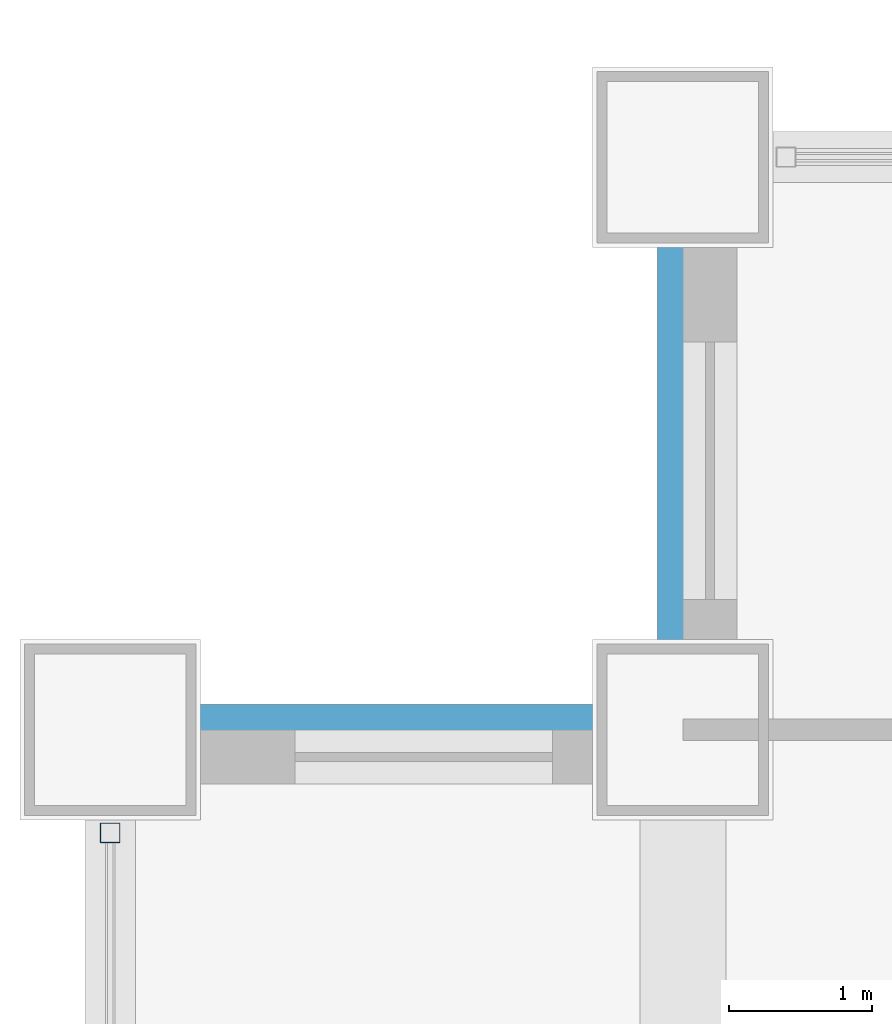
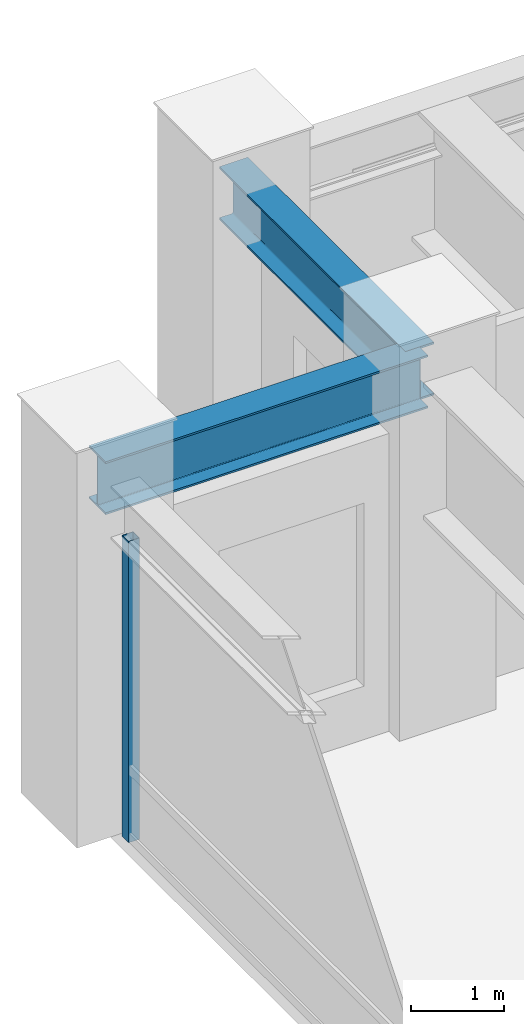
# One storey, part 12 of 34: 2 beams, 1 member, 1 element without a shape of its own.
"""IFC4 building model written with IfcOpenShell, lengths in metres."""

from ifc_helpers import new_model, si_unit, direction, frame, origin, origin_2d, place, context, subcontext, project, spatial, hollow_rectangle, i_section, extrude, source, transform, mapped, material, material_profile, profile_set, type_object, element, aggregate, save


model = new_model("IFC4")

# Units and contexts
model_context = context("Model", 3, precision=1e-05, world=origin(), true_north=direction((0.0, 1.0)))
body_context = subcontext(model_context, "Body", "Model", "MODEL_VIEW")
ifc_project = project(units=[si_unit("LENGTHUNIT", "METRE"), si_unit("AREAUNIT", "SQUARE_METRE"), si_unit("VOLUMEUNIT", "CUBIC_METRE"), si_unit("PLANEANGLEUNIT", "RADIAN"), si_unit("MASSUNIT", "GRAM", prefix="KILO")], contexts=[model_context])

# Site, building, storey
site_placement = place(None, origin())
site = spatial("IfcSite", under=ifc_project, at=site_placement, CompositionType="ELEMENT")
building_placement = place(site_placement, origin())
building = spatial("IfcBuilding", under=site, at=building_placement, Name="Khorayat Bourse Tower", CompositionType="ELEMENT")
storey_placement = place(building_placement, frame((0.0, 0.0, 144.699951171875)))
storey = spatial("IfcBuildingStorey", under=building, at=storey_placement, Name="L33", CompositionType="ELEMENT", Elevation=144.699951171875)

# Beams
ifc_material_1 = material(Name="Steel ASTM A992 Grade 50", Category="steel")
ifc_material_profile_1 = material_profile(ifc_material_1, i_section(OverallWidth=0.35498046875, OverallDepth=0.695068359375, WebThickness=0.015380859375, FlangeThickness=0.02490234375, FilletRadius=0.01806640625, at=origin_2d()), Name="W690X217")
ifc_profile_set_1 = profile_set([ifc_material_profile_1], Name="Steel ASTM A992 Grade 50")
beam_type = type_object("IfcBeamType", Name="BM-SPAN-690", PredefinedType="SPANDREL", material=ifc_profile_set_1)
shared_shape_1 = source(origin(), body_context, "Body", "SweptSolid", [
    extrude(i_section(OverallWidth=0.35498046875, OverallDepth=0.695068359375, WebThickness=0.015380859375, FlangeThickness=0.02490234375, FilletRadius=0.01806640625, at=origin_2d()), origin(), (0.0, 0.0, 1.0), 4.0),
])
for number, where, z_axis, x_axis, name in (
    (1, (-28.0, 28.0, 4.25244140625), (0.0, 1.0, 0.0), (-1.0, 0.0, 0.0), "L33 BM-SPAN-690 BM-L33-SPN-052"),
    (2, (-32.0, 28.0, 4.25244140625), (1.0, 0.0, 0.0), (0.0, 1.0, 0.0), "L33 BM-SPAN-690 BM-L33-SPN-053"),
):
    element("IfcBeam", number, at=place(storey_placement, frame(where, z_axis=z_axis, x_axis=x_axis)), inside=storey, type_object=beam_type, Name=name, PredefinedType="SPANDREL", context=body_context, shape_type="MappedRepresentation", body=[
        mapped(shared_shape_1, transform((0.0, 0.0, 0.0), scale=1.0)),
    ])

# Curtain wall, member
ifc_material_2 = material(Name="Aluminium EN AW-6063 T6", Category="aluminium")
curtain_wall_type = type_object("IfcCurtainWallType", Name="CW-SYS-05", PredefinedType="NOTDEFINED", material=ifc_material_2)
curtain_wall_placement = place(storey_placement, origin())
curtain_wall = element("IfcCurtainWall", 3, at=curtain_wall_placement, inside=storey, type_object=curtain_wall_type, Name="L33 Curtain Wall CW-L33-W1", PredefinedType="NOTDEFINED")
ifc_material_profile_2 = material_profile(ifc_material_2, hollow_rectangle(XDim=0.139892578125, YDim=0.139892578125, WallThickness=0.006103515625, at=origin_2d()), Name="ALU 140x140x6")
ifc_profile_set_2 = profile_set([ifc_material_profile_2], Name="Aluminium EN AW-6063 T6")
member_type = type_object("IfcMemberType", Name="CWM-VERT-140", PredefinedType="MULLION", material=ifc_profile_set_2)
shared_shape_2 = source(origin(), body_context, "Body", "SweptSolid", [
    extrude(hollow_rectangle(XDim=0.139892578125, YDim=0.139892578125, WallThickness=0.006103515625, at=origin_2d()), origin(), (0.0, 0.0, 1.0), 3.949951171875),
])
member_placement = place(storey_placement, frame((-32.0, 27.280029296875, 0.0), z_axis=(0.0, 0.0, 1.0), x_axis=(-1.0, 0.0, 0.0)))
member = element("IfcMember", 4, at=member_placement, type_object=member_type, Name="CW-L33-W1 Vertical Mullion 3", PredefinedType="MULLION", context=body_context, shape_type="MappedRepresentation", body=[
    mapped(shared_shape_2, transform((0.0, 0.0, 0.0), scale=1.0)),
])
aggregate(curtain_wall, [member])

save(model, "model.ifc")
